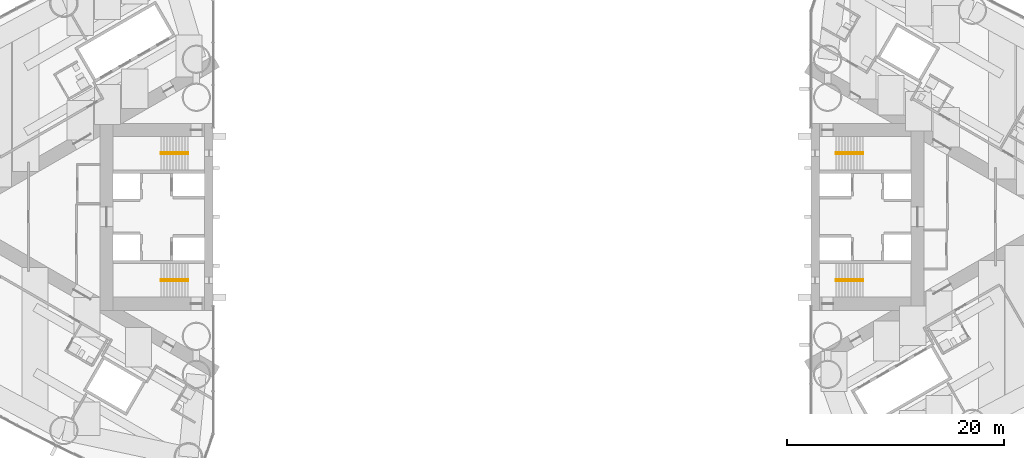
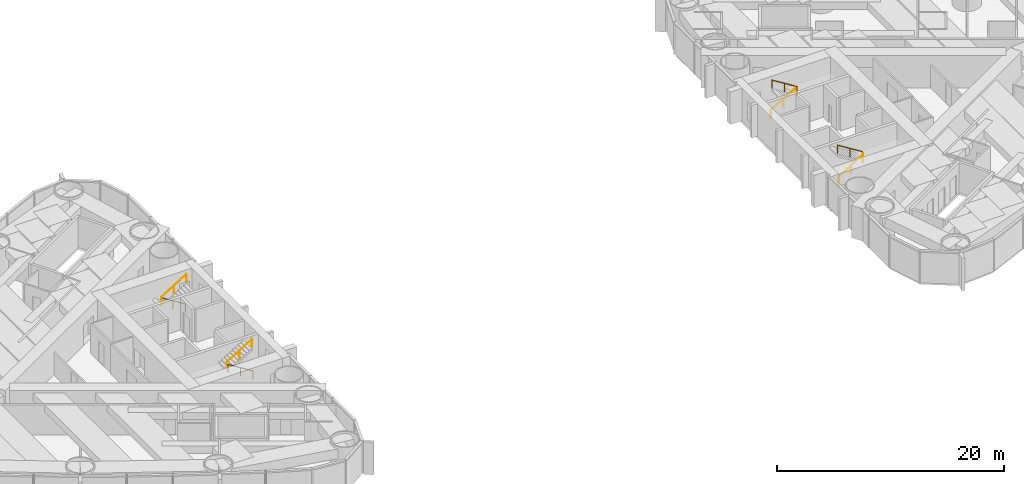
# One storey, part 17 of 18: 8 railings.
"""IFC4 building model written with IfcOpenShell, lengths in metres."""

import ifcopenshell
import ifcopenshell.guid

model = None  # the IFC model being written
_history = None  # IfcOwnerHistory: only IFC2X3 demands one
_inside = {}  # id of a spatial element -> (the spatial element, [elements in it])
_under = {}  # id of a project, library or spatial element -> (it, [spatial elements below it])
_declared = {}  # id of a project -> (the project, [libraries it declares])
_typed = {}  # id of a type object -> (the type object, [elements of that type])
_made_of = {}  # id of a material, layer set ... -> (it, [elements and type objects made of it])


def new_model(schema):
    """Start an empty IFC model of exactly this schema.

    Asked for "IFC4X3", IfcOpenShell would pick the latest addendum, in which some entities
    have other attributes; the version numbers below select the first issue.
    IFC2X3 requires an IfcOwnerHistory on every rooted entity: one is made here for all.
    """
    global model, _history
    if schema == "IFC4X3":
        model = ifcopenshell.file(schema_version=(4, 3, 0, 0))
    else:
        model = ifcopenshell.file(schema=schema)
    _inside.clear()
    _under.clear()
    _declared.clear()
    _typed.clear()
    _made_of.clear()
    _history = None
    if model.schema == "IFC2X3":
        org = make("IfcOrganization", Name="unknown")
        user = make(
            "IfcPersonAndOrganization",
            ThePerson=make("IfcPerson", FamilyName="unknown"),
            TheOrganization=org,
        )
        app = make(
            "IfcApplication",
            ApplicationDeveloper=org,
            Version="unknown",
            ApplicationFullName="unknown",
            ApplicationIdentifier="unknown",
        )
        _history = make(
            "IfcOwnerHistory",
            OwningUser=user,
            OwningApplication=app,
            ChangeAction="ADDED",
            CreationDate=0,
        )
    return model


def make(cls, **values):
    """One entity of the class cls with the attributes given. An attribute that is None is left unset."""
    return model.create_entity(
        cls, **{name: value for name, value in values.items() if value is not None}
    )


def rooted(cls, **values):
    """An entity with a GlobalId (a new one), such as an element, a storey or a relation."""
    return make(cls, GlobalId=ifcopenshell.guid.new(), OwnerHistory=_history, **values)


def si_unit(unit_type, name, prefix=None):
    """IfcSIUnit, for example si_unit("LENGTHUNIT", "METRE", prefix="MILLI")."""
    return make("IfcSIUnit", UnitType=unit_type, Prefix=prefix, Name=name)


def assignment(units):
    """IfcUnitAssignment: the units of a project."""
    return None if units is None else make("IfcUnitAssignment", Units=units)


def point(xyz):
    """IfcCartesianPoint."""
    return None if xyz is None else make("IfcCartesianPoint", Coordinates=xyz)


def direction(xyz):
    """IfcDirection."""
    return None if xyz is None else make("IfcDirection", DirectionRatios=xyz)


def frame(location, z_axis=None, x_axis=None):
    """IfcAxis2Placement3D, a coordinate frame: its origin and axes. An axis left out is left unset."""
    return make(
        "IfcAxis2Placement3D",
        Location=point(location),
        Axis=direction(z_axis),
        RefDirection=direction(x_axis),
    )


def frame_2d(location, x_axis=None):
    """IfcAxis2Placement2D, a coordinate frame in the plane: its origin and x axis."""
    return make(
        "IfcAxis2Placement2D", Location=point(location), RefDirection=direction(x_axis)
    )


def origin():
    """The frame at (0, 0, 0) with its axes left unset."""
    return frame((0.0, 0.0, 0.0))


def origin_2d():
    """The frame at (0, 0) in the plane with its x axis left unset."""
    return frame_2d((0.0, 0.0))


def place(relative_to, where):
    """IfcLocalPlacement: puts the frame where relative to a parent placement (None: the world)."""
    return make(
        "IfcLocalPlacement", PlacementRelTo=relative_to, RelativePlacement=where
    )


def context(
    kind, dimensions, precision=None, world=None, true_north=None, identifier=None
):
    """IfcGeometricRepresentationContext, for example the 3D "Model" context."""
    return make(
        "IfcGeometricRepresentationContext",
        ContextIdentifier=identifier,
        ContextType=kind,
        CoordinateSpaceDimension=dimensions,
        Precision=precision,
        WorldCoordinateSystem=world,
        TrueNorth=true_north,
    )


def subcontext(parent, identifier, kind, view, scale=None):
    """IfcGeometricRepresentationSubContext, for example "Body" below "Model"."""
    return make(
        "IfcGeometricRepresentationSubContext",
        ContextIdentifier=identifier,
        ContextType=kind,
        ParentContext=parent,
        TargetScale=scale,
        TargetView=view,
    )


def project(units=None, contexts=None):
    """IfcProject with its units and contexts."""
    return rooted(
        "IfcProject",
        Name="project",
        RepresentationContexts=contexts,
        UnitsInContext=assignment(units),
    )


def spatial(cls, under=None, at=None, **own):
    """A site, building, storey or space (cls), placed at a placement, below another one or the project."""
    s = rooted(cls, ObjectPlacement=at, **own)
    if under is not None:
        _under.setdefault(under.id(), (under, []))[1].append(s)
    return s


def profile(cls, at=None, kind="AREA", **sizes):
    """A parametric profile (cls). Its sizes go by their IFC names, for example OverallWidth=200.0."""
    return make(cls, ProfileType=kind, Position=at, **sizes)


def circle(**sizes):
    """IfcCircleProfileDef."""
    return profile("IfcCircleProfileDef", **sizes)


def extrude(swept, where, along, depth):
    """IfcExtrudedAreaSolid: the profile swept, set in the frame where, extruded along a direction by depth."""
    return make(
        "IfcExtrudedAreaSolid",
        SweptArea=swept,
        Position=where,
        ExtrudedDirection=direction(along),
        Depth=depth,
    )


def shape(context_of_items, identifier, shape_type, items):
    """IfcShapeRepresentation: the items that make up one representation, for example the "Body"."""
    return make(
        "IfcShapeRepresentation",
        ContextOfItems=context_of_items,
        RepresentationIdentifier=identifier,
        RepresentationType=shape_type,
        Items=items,
    )


def material(Name=None, Category=None):
    """IfcMaterial."""
    return make("IfcMaterial", Name=Name, Category=Category)


def made_of(thing, what):
    """Note that an element or type object is made of a material, layer set ...; save() writes the relation."""
    if what is not None:
        _made_of.setdefault(what.id(), (what, []))[1].append(thing)
    return thing


def type_object(cls, material=None, **own):
    """A type object (cls), such as IfcWallType, which elements share."""
    return made_of(rooted(cls, **own), material)


def element(
    cls,
    number,
    at=None,
    inside=None,
    cuts=None,
    type_object=None,
    material=None,
    context=None,
    identifier="Body",
    shape_type=None,
    held_by="IfcProductDefinitionShape",
    body=None,
    shapes=None,
    **own,
):
    """One element of the class cls, such as IfcWall. Its Tag is "e" and its number.

    at: its placement. inside: the storey or other place that contains it. cuts: it is an
    opening in that element (IfcRelVoidsElement). A single representation is given by context,
    identifier, shape_type and body (its items); several are given by shapes. held_by: the class
    of the entity that holds the representations. save() writes the other relations.
    """
    e = rooted(cls, Tag="e%d" % number, ObjectPlacement=at, **own)
    if body is not None:
        shapes = [shape(context, identifier, shape_type, body)]
    if shapes is not None:
        e.Representation = make(held_by, Representations=shapes)
    if inside is not None:
        _inside.setdefault(inside.id(), (inside, []))[1].append(e)
    if cuts is not None:
        rooted(
            "IfcRelVoidsElement", RelatingBuildingElement=cuts, RelatedOpeningElement=e
        )
    if type_object is not None:
        _typed.setdefault(type_object.id(), (type_object, []))[1].append(e)
    return made_of(e, material)


def aggregate(whole, parts):
    """IfcRelAggregates: a whole, such as a stair, and the parts it consists of."""
    return rooted("IfcRelAggregates", RelatingObject=whole, RelatedObjects=parts)


def save(model, path):
    """Write the relations noted so far, then the file.

    IfcRelAggregates (storeys below a building ...), IfcRelContainedInSpatialStructure (elements
    in a storey), IfcRelDefinesByType, IfcRelAssociatesMaterial and IfcRelDeclares: one each for
    every whole, place, type object, material and project.
    """
    for whole, parts in _under.values():
        aggregate(whole, parts)
    for where, things in _inside.values():
        rooted(
            "IfcRelContainedInSpatialStructure",
            RelatedElements=things,
            RelatingStructure=where,
        )
    for kind, things in _typed.values():
        rooted("IfcRelDefinesByType", RelatedObjects=things, RelatingType=kind)
    for what, things in _made_of.values():
        rooted("IfcRelAssociatesMaterial", RelatedObjects=things, RelatingMaterial=what)
    for by, libraries in _declared.values():
        rooted("IfcRelDeclares", RelatingContext=by, RelatedDefinitions=libraries)
    model.write(path)


model = new_model("IFC4")

# Units and contexts
model_context = context("Model", 3, precision=1e-05, world=origin(), true_north=direction((0.0, 1.0)))
body_context = subcontext(model_context, "Body", "Model", "MODEL_VIEW")
ifc_project = project(units=[si_unit("LENGTHUNIT", "METRE"), si_unit("AREAUNIT", "SQUARE_METRE"), si_unit("VOLUMEUNIT", "CUBIC_METRE"), si_unit("PLANEANGLEUNIT", "RADIAN"), si_unit("MASSUNIT", "GRAM", prefix="KILO")], contexts=[model_context])

# Site, building, storey
site_placement = place(None, origin())
site = spatial("IfcSite", under=ifc_project, at=site_placement, CompositionType="ELEMENT")
building_placement = place(site_placement, origin())
building = spatial("IfcBuilding", under=site, at=building_placement, Name="Lancet Gate Hotel", CompositionType="ELEMENT")
storey_placement = place(building_placement, frame((0.0, 0.0, 101.10009765625)))
storey = spatial("IfcBuildingStorey", under=building, at=storey_placement, Name="L26", CompositionType="ELEMENT", Elevation=101.10009765625)

# Railings
ifc_material = material(Name="Stainless steel handrail", Category="steel")
railing_type = type_object("IfcRailingType", Name="Stair handrail 900", PredefinedType="HANDRAIL", material=ifc_material)
railing_1_placement = place(storey_placement, frame((-29.800048828125, 5.929931640625, 0.1748046875)))
element("IfcRailing", 1, at=railing_1_placement, inside=storey, type_object=railing_type, Name="ST1 handrail flight 1 L26", PredefinedType="HANDRAIL", context=body_context, shape_type="SweptSolid", body=[
    extrude(circle(Radius=0.02392578125, at=origin_2d()), frame((0.0, 0.0, 0.8759765625), z_axis=(-0.847970611238, 0.0, 0.530043245855), x_axis=(0.0, -1.0, 0.0)), (0.0, 0.0, 1.0), 2.971923828125),
    extrude(circle(Radius=0.02099609375, at=origin_2d()), origin(), (0.0, 0.0, 1.0), 0.851806640625),
    extrude(circle(Radius=0.02099609375, at=origin_2d()), frame((-1.260009765625, 0.0, 0.78759765625)), (0.0, 0.0, 1.0), 0.851806640625),
    extrude(circle(Radius=0.02099609375, at=origin_2d()), frame((-2.52001953125, 0.0, 1.5751953125)), (0.0, 0.0, 1.0), 0.851806640625),
])
railing_2_placement = place(storey_placement, frame((-32.320068359375, 5.77001953125, 1.9248046875)))
element("IfcRailing", 2, at=railing_2_placement, inside=storey, type_object=railing_type, Name="ST1 handrail flight 2 L26", PredefinedType="HANDRAIL", context=body_context, shape_type="SweptSolid", body=[
    extrude(circle(Radius=0.02392578125, at=origin_2d()), frame((0.0, 0.0, 0.8759765625), z_axis=(0.847970611238, 0.0, 0.530043245855), x_axis=(0.0, 1.0, 0.0)), (0.0, 0.0, 1.0), 2.971923828125),
    extrude(circle(Radius=0.02099609375, at=origin_2d()), origin(), (0.0, 0.0, 1.0), 0.851806640625),
    extrude(circle(Radius=0.02099609375, at=origin_2d()), frame((1.260009765625, 0.0, 0.78759765625)), (0.0, 0.0, 1.0), 0.851806640625),
    extrude(circle(Radius=0.02099609375, at=origin_2d()), frame((2.52001953125, 0.0, 1.5751953125)), (0.0, 0.0, 1.0), 0.851806640625),
])
railing_3_placement = place(storey_placement, frame((-29.800048828125, -5.929931640625, 0.1748046875)))
element("IfcRailing", 3, at=railing_3_placement, inside=storey, type_object=railing_type, Name="ST2 handrail flight 1 L26", PredefinedType="HANDRAIL", context=body_context, shape_type="SweptSolid", body=[
    extrude(circle(Radius=0.02392578125, at=origin_2d()), frame((0.0, 0.0, 0.8759765625), z_axis=(-0.847970611238, 0.0, 0.530043245855), x_axis=(0.0, -1.0, 0.0)), (0.0, 0.0, 1.0), 2.971923828125),
    extrude(circle(Radius=0.02099609375, at=origin_2d()), origin(), (0.0, 0.0, 1.0), 0.851806640625),
    extrude(circle(Radius=0.02099609375, at=origin_2d()), frame((-1.260009765625, 0.0, 0.78759765625)), (0.0, 0.0, 1.0), 0.851806640625),
    extrude(circle(Radius=0.02099609375, at=origin_2d()), frame((-2.52001953125, 0.0, 1.5751953125)), (0.0, 0.0, 1.0), 0.851806640625),
])
for number, where, name in (
    (4, (-32.320068359375, -5.77001953125, 1.9248046875), "ST2 handrail flight 2 L26"),
    (5, (29.800048828125, -5.929931640625, 0.1748046875), "ST3 handrail flight 1 L26"),
):
    element("IfcRailing", number, at=place(storey_placement, frame(where)), inside=storey, type_object=railing_type, Name=name, PredefinedType="HANDRAIL", context=body_context, shape_type="SweptSolid", body=[
        extrude(circle(Radius=0.02392578125, at=origin_2d()), frame((0.0, 0.0, 0.8759765625), z_axis=(0.847970611238, 0.0, 0.530043245855), x_axis=(0.0, 1.0, 0.0)), (0.0, 0.0, 1.0), 2.971923828125),
        extrude(circle(Radius=0.02099609375, at=origin_2d()), origin(), (0.0, 0.0, 1.0), 0.851806640625),
        extrude(circle(Radius=0.02099609375, at=origin_2d()), frame((1.260009765625, 0.0, 0.78759765625)), (0.0, 0.0, 1.0), 0.851806640625),
        extrude(circle(Radius=0.02099609375, at=origin_2d()), frame((2.52001953125, 0.0, 1.5751953125)), (0.0, 0.0, 1.0), 0.851806640625),
    ])
railing_4_placement = place(storey_placement, frame((32.320068359375, -5.77001953125, 1.9248046875)))
element("IfcRailing", 6, at=railing_4_placement, inside=storey, type_object=railing_type, Name="ST3 handrail flight 2 L26", PredefinedType="HANDRAIL", context=body_context, shape_type="SweptSolid", body=[
    extrude(circle(Radius=0.02392578125, at=origin_2d()), frame((0.0, 0.0, 0.8759765625), z_axis=(-0.847970611238, 0.0, 0.530043245855), x_axis=(0.0, -1.0, 0.0)), (0.0, 0.0, 1.0), 2.971923828125),
    extrude(circle(Radius=0.02099609375, at=origin_2d()), origin(), (0.0, 0.0, 1.0), 0.851806640625),
    extrude(circle(Radius=0.02099609375, at=origin_2d()), frame((-1.260009765625, 0.0, 0.78759765625)), (0.0, 0.0, 1.0), 0.851806640625),
    extrude(circle(Radius=0.02099609375, at=origin_2d()), frame((-2.52001953125, 0.0, 1.5751953125)), (0.0, 0.0, 1.0), 0.851806640625),
])
railing_5_placement = place(storey_placement, frame((29.800048828125, 5.929931640625, 0.1748046875)))
element("IfcRailing", 7, at=railing_5_placement, inside=storey, type_object=railing_type, Name="ST4 handrail flight 1 L26", PredefinedType="HANDRAIL", context=body_context, shape_type="SweptSolid", body=[
    extrude(circle(Radius=0.02392578125, at=origin_2d()), frame((0.0, 0.0, 0.8759765625), z_axis=(0.847970611238, 0.0, 0.530043245855), x_axis=(0.0, 1.0, 0.0)), (0.0, 0.0, 1.0), 2.971923828125),
    extrude(circle(Radius=0.02099609375, at=origin_2d()), origin(), (0.0, 0.0, 1.0), 0.851806640625),
    extrude(circle(Radius=0.02099609375, at=origin_2d()), frame((1.260009765625, 0.0, 0.78759765625)), (0.0, 0.0, 1.0), 0.851806640625),
    extrude(circle(Radius=0.02099609375, at=origin_2d()), frame((2.52001953125, 0.0, 1.5751953125)), (0.0, 0.0, 1.0), 0.851806640625),
])
railing_6_placement = place(storey_placement, frame((32.320068359375, 5.77001953125, 1.9248046875)))
element("IfcRailing", 8, at=railing_6_placement, inside=storey, type_object=railing_type, Name="ST4 handrail flight 2 L26", PredefinedType="HANDRAIL", context=body_context, shape_type="SweptSolid", body=[
    extrude(circle(Radius=0.02392578125, at=origin_2d()), frame((0.0, 0.0, 0.8759765625), z_axis=(-0.847970611238, 0.0, 0.530043245855), x_axis=(0.0, -1.0, 0.0)), (0.0, 0.0, 1.0), 2.971923828125),
    extrude(circle(Radius=0.02099609375, at=origin_2d()), origin(), (0.0, 0.0, 1.0), 0.851806640625),
    extrude(circle(Radius=0.02099609375, at=origin_2d()), frame((-1.260009765625, 0.0, 0.78759765625)), (0.0, 0.0, 1.0), 0.851806640625),
    extrude(circle(Radius=0.02099609375, at=origin_2d()), frame((-2.52001953125, 0.0, 1.5751953125)), (0.0, 0.0, 1.0), 0.851806640625),
])

save(model, "model.ifc")
